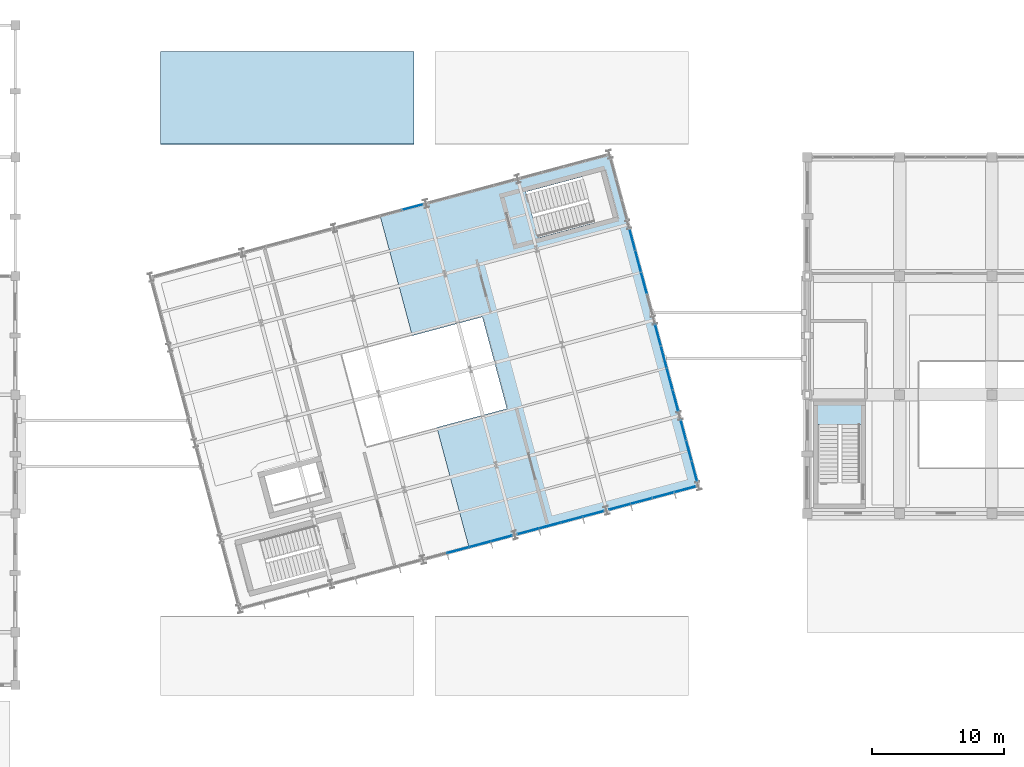
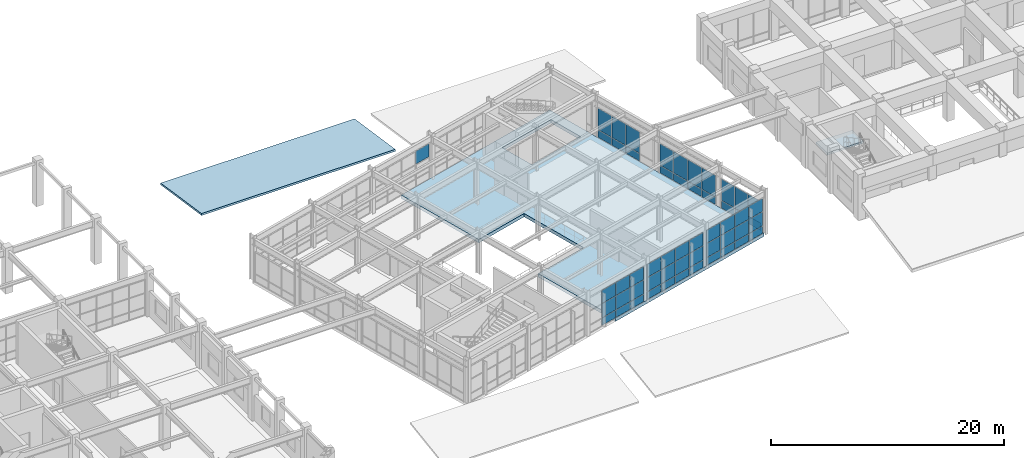
# One storey, part 75 of 104: 54 plates, 3 slabs, 8 elements without a shape of their own.
"""IFC4 building model written with IfcOpenShell, lengths in metres."""

import ifcopenshell
import ifcopenshell.guid

model = None  # the IFC model being written
_history = None  # IfcOwnerHistory: only IFC2X3 demands one
_inside = {}  # id of a spatial element -> (the spatial element, [elements in it])
_under = {}  # id of a project, library or spatial element -> (it, [spatial elements below it])
_declared = {}  # id of a project -> (the project, [libraries it declares])
_typed = {}  # id of a type object -> (the type object, [elements of that type])
_made_of = {}  # id of a material, layer set ... -> (it, [elements and type objects made of it])


def new_model(schema):
    """Start an empty IFC model of exactly this schema.

    Asked for "IFC4X3", IfcOpenShell would pick the latest addendum, in which some entities
    have other attributes; the version numbers below select the first issue.
    IFC2X3 requires an IfcOwnerHistory on every rooted entity: one is made here for all.
    """
    global model, _history
    if schema == "IFC4X3":
        model = ifcopenshell.file(schema_version=(4, 3, 0, 0))
    else:
        model = ifcopenshell.file(schema=schema)
    _inside.clear()
    _under.clear()
    _declared.clear()
    _typed.clear()
    _made_of.clear()
    _history = None
    if model.schema == "IFC2X3":
        org = make("IfcOrganization", Name="unknown")
        user = make(
            "IfcPersonAndOrganization",
            ThePerson=make("IfcPerson", FamilyName="unknown"),
            TheOrganization=org,
        )
        app = make(
            "IfcApplication",
            ApplicationDeveloper=org,
            Version="unknown",
            ApplicationFullName="unknown",
            ApplicationIdentifier="unknown",
        )
        _history = make(
            "IfcOwnerHistory",
            OwningUser=user,
            OwningApplication=app,
            ChangeAction="ADDED",
            CreationDate=0,
        )
    return model


def make(cls, **values):
    """One entity of the class cls with the attributes given. An attribute that is None is left unset."""
    return model.create_entity(
        cls, **{name: value for name, value in values.items() if value is not None}
    )


def rooted(cls, **values):
    """An entity with a GlobalId (a new one), such as an element, a storey or a relation."""
    return make(cls, GlobalId=ifcopenshell.guid.new(), OwnerHistory=_history, **values)


def si_unit(unit_type, name, prefix=None):
    """IfcSIUnit, for example si_unit("LENGTHUNIT", "METRE", prefix="MILLI")."""
    return make("IfcSIUnit", UnitType=unit_type, Prefix=prefix, Name=name)


def assignment(units):
    """IfcUnitAssignment: the units of a project."""
    return None if units is None else make("IfcUnitAssignment", Units=units)


def point(xyz):
    """IfcCartesianPoint."""
    return None if xyz is None else make("IfcCartesianPoint", Coordinates=xyz)


def direction(xyz):
    """IfcDirection."""
    return None if xyz is None else make("IfcDirection", DirectionRatios=xyz)


def frame(location, z_axis=None, x_axis=None):
    """IfcAxis2Placement3D, a coordinate frame: its origin and axes. An axis left out is left unset."""
    return make(
        "IfcAxis2Placement3D",
        Location=point(location),
        Axis=direction(z_axis),
        RefDirection=direction(x_axis),
    )


def frame_2d(location, x_axis=None):
    """IfcAxis2Placement2D, a coordinate frame in the plane: its origin and x axis."""
    return make(
        "IfcAxis2Placement2D", Location=point(location), RefDirection=direction(x_axis)
    )


def origin():
    """The frame at (0, 0, 0) with its axes left unset."""
    return frame((0.0, 0.0, 0.0))


def origin_2d():
    """The frame at (0, 0) in the plane with its x axis left unset."""
    return frame_2d((0.0, 0.0))


def place(relative_to, where):
    """IfcLocalPlacement: puts the frame where relative to a parent placement (None: the world)."""
    return make(
        "IfcLocalPlacement", PlacementRelTo=relative_to, RelativePlacement=where
    )


def context(
    kind, dimensions, precision=None, world=None, true_north=None, identifier=None
):
    """IfcGeometricRepresentationContext, for example the 3D "Model" context."""
    return make(
        "IfcGeometricRepresentationContext",
        ContextIdentifier=identifier,
        ContextType=kind,
        CoordinateSpaceDimension=dimensions,
        Precision=precision,
        WorldCoordinateSystem=world,
        TrueNorth=true_north,
    )


def subcontext(parent, identifier, kind, view, scale=None):
    """IfcGeometricRepresentationSubContext, for example "Body" below "Model"."""
    return make(
        "IfcGeometricRepresentationSubContext",
        ContextIdentifier=identifier,
        ContextType=kind,
        ParentContext=parent,
        TargetScale=scale,
        TargetView=view,
    )


def project(units=None, contexts=None):
    """IfcProject with its units and contexts."""
    return rooted(
        "IfcProject",
        Name="project",
        RepresentationContexts=contexts,
        UnitsInContext=assignment(units),
    )


def spatial(cls, under=None, at=None, **own):
    """A site, building, storey or space (cls), placed at a placement, below another one or the project."""
    s = rooted(cls, ObjectPlacement=at, **own)
    if under is not None:
        _under.setdefault(under.id(), (under, []))[1].append(s)
    return s


def polyline(points):
    """IfcPolyline through the points."""
    return make("IfcPolyline", Points=[point(p) for p in points])


def profile(cls, at=None, kind="AREA", **sizes):
    """A parametric profile (cls). Its sizes go by their IFC names, for example OverallWidth=200.0."""
    return make(cls, ProfileType=kind, Position=at, **sizes)


def rectangle(**sizes):
    """IfcRectangleProfileDef."""
    return profile("IfcRectangleProfileDef", **sizes)


def outline(outer, holes=None, kind="AREA"):
    """IfcArbitraryClosedProfileDef: a profile drawn as a closed curve; with holes, ...WithVoids."""
    if holes is None:
        return make("IfcArbitraryClosedProfileDef", ProfileType=kind, OuterCurve=outer)
    return make(
        "IfcArbitraryProfileDefWithVoids",
        ProfileType=kind,
        OuterCurve=outer,
        InnerCurves=holes,
    )


def extrude(swept, where, along, depth):
    """IfcExtrudedAreaSolid: the profile swept, set in the frame where, extruded along a direction by depth."""
    return make(
        "IfcExtrudedAreaSolid",
        SweptArea=swept,
        Position=where,
        ExtrudedDirection=direction(along),
        Depth=depth,
    )


def shape(context_of_items, identifier, shape_type, items):
    """IfcShapeRepresentation: the items that make up one representation, for example the "Body"."""
    return make(
        "IfcShapeRepresentation",
        ContextOfItems=context_of_items,
        RepresentationIdentifier=identifier,
        RepresentationType=shape_type,
        Items=items,
    )


def material(Name=None, Category=None):
    """IfcMaterial."""
    return make("IfcMaterial", Name=Name, Category=Category)


def layer(
    of_material, thickness, ventilated=None, Name=None, Category=None, Priority=None
):
    """IfcMaterialLayer: one layer of a wall or slab, of a material (None: an air gap)."""
    return make(
        "IfcMaterialLayer",
        Material=of_material,
        LayerThickness=thickness,
        IsVentilated=ventilated,
        Name=Name,
        Category=Category,
        Priority=Priority,
    )


def layer_set(layers, Name=None):
    """IfcMaterialLayerSet."""
    return make("IfcMaterialLayerSet", MaterialLayers=layers, LayerSetName=Name)


def made_of(thing, what):
    """Note that an element or type object is made of a material, layer set ...; save() writes the relation."""
    if what is not None:
        _made_of.setdefault(what.id(), (what, []))[1].append(thing)
    return thing


def type_object(cls, material=None, **own):
    """A type object (cls), such as IfcWallType, which elements share."""
    return made_of(rooted(cls, **own), material)


def element(
    cls,
    number,
    at=None,
    inside=None,
    cuts=None,
    type_object=None,
    material=None,
    context=None,
    identifier="Body",
    shape_type=None,
    held_by="IfcProductDefinitionShape",
    body=None,
    shapes=None,
    **own,
):
    """One element of the class cls, such as IfcWall. Its Tag is "e" and its number.

    at: its placement. inside: the storey or other place that contains it. cuts: it is an
    opening in that element (IfcRelVoidsElement). A single representation is given by context,
    identifier, shape_type and body (its items); several are given by shapes. held_by: the class
    of the entity that holds the representations. save() writes the other relations.
    """
    e = rooted(cls, Tag="e%d" % number, ObjectPlacement=at, **own)
    if body is not None:
        shapes = [shape(context, identifier, shape_type, body)]
    if shapes is not None:
        e.Representation = make(held_by, Representations=shapes)
    if inside is not None:
        _inside.setdefault(inside.id(), (inside, []))[1].append(e)
    if cuts is not None:
        rooted(
            "IfcRelVoidsElement", RelatingBuildingElement=cuts, RelatedOpeningElement=e
        )
    if type_object is not None:
        _typed.setdefault(type_object.id(), (type_object, []))[1].append(e)
    return made_of(e, material)


def aggregate(whole, parts):
    """IfcRelAggregates: a whole, such as a stair, and the parts it consists of."""
    return rooted("IfcRelAggregates", RelatingObject=whole, RelatedObjects=parts)


def save(model, path):
    """Write the relations noted so far, then the file.

    IfcRelAggregates (storeys below a building ...), IfcRelContainedInSpatialStructure (elements
    in a storey), IfcRelDefinesByType, IfcRelAssociatesMaterial and IfcRelDeclares: one each for
    every whole, place, type object, material and project.
    """
    for whole, parts in _under.values():
        aggregate(whole, parts)
    for where, things in _inside.values():
        rooted(
            "IfcRelContainedInSpatialStructure",
            RelatedElements=things,
            RelatingStructure=where,
        )
    for kind, things in _typed.values():
        rooted("IfcRelDefinesByType", RelatedObjects=things, RelatingType=kind)
    for what, things in _made_of.values():
        rooted("IfcRelAssociatesMaterial", RelatedObjects=things, RelatingMaterial=what)
    for by, libraries in _declared.values():
        rooted("IfcRelDeclares", RelatingContext=by, RelatedDefinitions=libraries)
    model.write(path)


model = new_model("IFC4")

# Units and contexts
model_context = context("Model", 3, precision=1e-05, world=origin(), true_north=direction((0.0, 1.0)))
body_context = subcontext(model_context, "Body", "Model", "MODEL_VIEW")
ifc_project = project(units=[si_unit("LENGTHUNIT", "METRE"), si_unit("AREAUNIT", "SQUARE_METRE"), si_unit("VOLUMEUNIT", "CUBIC_METRE"), si_unit("PLANEANGLEUNIT", "RADIAN"), si_unit("MASSUNIT", "GRAM", prefix="KILO")], contexts=[model_context])

# Site, building, storey
site_placement = place(None, origin())
site = spatial("IfcSite", under=ifc_project, at=site_placement, CompositionType="ELEMENT")
building_placement = place(site_placement, origin())
building = spatial("IfcBuilding", under=site, at=building_placement, Name="Ventoquebrada Cableway Terminal", CompositionType="ELEMENT")
storey_placement = place(building_placement, frame((0.0, 0.0, 4.800048828125)))
storey = spatial("IfcBuildingStorey", under=building, at=storey_placement, Name="L01", CompositionType="ELEMENT", Elevation=4.800048828125)

# Curtain wall, plates
ifc_material_1 = material(Name="Anodized thermally-broken aluminium", Category="aluminium")
ifc_layer_1 = layer(ifc_material_1, 0.159912109375)
ifc_layer_set_1 = layer_set([ifc_layer_1], Name="Anodized thermally-broken aluminium")
curtain_wall_type_1 = type_object("IfcCurtainWallType", Name="CW-T36", PredefinedType="USERDEFINED", material=ifc_layer_set_1)
curtain_wall_1_placement = place(storey_placement, origin())
curtain_wall_1 = element("IfcCurtainWall", 1, at=curtain_wall_1_placement, inside=storey, type_object=curtain_wall_type_1, Name="Unitised glazed curtain wall CW-085", ObjectType="UNITISED CURTAIN WALL", PredefinedType="USERDEFINED")
ifc_material_2 = material(Name="Double low-e laminated safety glazing", Category="glass")
ifc_layer_2 = layer(ifc_material_2, 0.031982421875)
ifc_layer_set_2 = layer_set([ifc_layer_2], Name="Double low-e laminated safety glazing")
plate_type_1 = type_object("IfcPlateType", Name="CWP-GL1", PredefinedType="CURTAIN_PANEL", material=ifc_layer_set_2)
plate_1_placement = place(storey_placement, frame((68.535888671875, 74.220947265625, 0.8740234375), z_axis=(0.0, 0.0, 1.0), x_axis=(0.96593486019, 0.258785327773, 0.0)))
plate_1 = element("IfcPlate", 2, at=plate_1_placement, type_object=plate_type_1, Name="Vision glazing panel PN-0899", PredefinedType="CURTAIN_PANEL", context=body_context, shape_type="SweptSolid", body=[
    extrude(rectangle(XDim=1.6669921875, YDim=0.031982421875, at=origin_2d()), origin(), (0.0, 0.0, 1.0), 1.446044921875),
])
plate_2_placement = place(storey_placement, frame((70.193115234375, 74.6650390625, 2.369384765625), z_axis=(0.0, 0.0, 1.0), x_axis=(0.96593486019, 0.258785327773, 0.0)))
plate_2 = element("IfcPlate", 3, at=plate_2_placement, type_object=plate_type_1, Name="Vision glazing panel PN-0903", PredefinedType="CURTAIN_PANEL", context=body_context, shape_type="SweptSolid", body=[
    extrude(rectangle(XDim=1.6669921875, YDim=0.031982421875, at=origin_2d()), origin(), (0.0, 0.0, 1.0), 1.35302734375),
])
plate_3_placement = place(storey_placement, frame((71.833984375, 75.10498046875, 0.8740234375), z_axis=(0.0, 0.0, 1.0), x_axis=(0.96593486019, 0.258785327773, 0.0)))
plate_3 = element("IfcPlate", 4, at=plate_3_placement, type_object=plate_type_1, Name="Vision glazing panel PN-0905", PredefinedType="CURTAIN_PANEL", context=body_context, shape_type="SweptSolid", body=[
    extrude(rectangle(XDim=1.632080078125, YDim=0.031982421875, at=origin_2d()), origin(), (0.0, 0.0, 1.0), 1.446044921875),
])

curtain_wall_2_placement = place(storey_placement, origin())
curtain_wall_2 = element("IfcCurtainWall", 5, at=curtain_wall_2_placement, inside=storey, type_object=curtain_wall_type_1, Name="Unitised glazed curtain wall CW-086", ObjectType="UNITISED CURTAIN WALL", PredefinedType="USERDEFINED")
plate_4_placement = place(storey_placement, frame((73.85009765625, 75.64501953125, 2.369384765625), z_axis=(0.0, 0.0, 1.0), x_axis=(0.965970984022, 0.258650455301, 0.0)))
plate_4 = element("IfcPlate", 6, at=plate_4_placement, type_object=plate_type_1, Name="Vision glazing panel PN-0909", PredefinedType="CURTAIN_PANEL", context=body_context, shape_type="SweptSolid", body=[
    extrude(rectangle(XDim=1.632080078125, YDim=0.031982421875, at=origin_2d()), origin(), (0.0, 0.0, 1.0), 1.35302734375),
])
plate_5_placement = place(storey_placement, frame((75.490966796875, 76.0849609375, 0.8740234375), z_axis=(0.0, 0.0, 1.0), x_axis=(0.965970984022, 0.258650455301, 0.0)))
plate_5 = element("IfcPlate", 7, at=plate_5_placement, type_object=plate_type_1, Name="Vision glazing panel PN-0911", PredefinedType="CURTAIN_PANEL", context=body_context, shape_type="SweptSolid", body=[
    extrude(rectangle(XDim=1.6669921875, YDim=0.031982421875, at=origin_2d()), origin(), (0.0, 0.0, 1.0), 1.446044921875),
])
plate_6_placement = place(storey_placement, frame((77.14794921875, 76.528076171875, 2.369384765625), z_axis=(0.0, 0.0, 1.0), x_axis=(0.965970984022, 0.258650455301, 0.0)))
plate_6 = element("IfcPlate", 8, at=plate_6_placement, type_object=plate_type_1, Name="Vision glazing panel PN-0915", PredefinedType="CURTAIN_PANEL", context=body_context, shape_type="SweptSolid", body=[
    extrude(rectangle(XDim=1.6669921875, YDim=0.031982421875, at=origin_2d()), origin(), (0.0, 0.0, 1.0), 1.35302734375),
])
plate_7_placement = place(storey_placement, frame((78.7880859375, 76.968017578125, 0.8740234375), z_axis=(0.0, 0.0, 1.0), x_axis=(0.965970984022, 0.258650455301, 0.0)))
plate_7 = element("IfcPlate", 9, at=plate_7_placement, type_object=plate_type_1, Name="Vision glazing panel PN-0917", PredefinedType="CURTAIN_PANEL", context=body_context, shape_type="SweptSolid", body=[
    extrude(rectangle(XDim=1.632080078125, YDim=0.031982421875, at=origin_2d()), origin(), (0.0, 0.0, 1.0), 1.446044921875),
])

ifc_layer_3 = layer(ifc_material_1, 0.159912109375)
ifc_layer_set_3 = layer_set([ifc_layer_3], Name="Anodized thermally-broken aluminium")
curtain_wall_type_2 = type_object("IfcCurtainWallType", Name="CW-T37", PredefinedType="USERDEFINED", material=ifc_layer_set_3)
curtain_wall_3_placement = place(storey_placement, origin())
curtain_wall_3 = element("IfcCurtainWall", 10, at=curtain_wall_3_placement, inside=storey, type_object=curtain_wall_type_2, Name="Unitised glazed curtain wall CW-087", ObjectType="UNITISED CURTAIN WALL", PredefinedType="USERDEFINED")
plate_8_placement = place(storey_placement, frame((80.804931640625, 77.508056640625, 2.369384765625), z_axis=(0.0, 0.0, 1.0), x_axis=(0.965925826289, 0.258819045103, 0.0)))
plate_8 = element("IfcPlate", 11, at=plate_8_placement, type_object=plate_type_1, Name="Vision glazing panel PN-0921", PredefinedType="CURTAIN_PANEL", context=body_context, shape_type="SweptSolid", body=[
    extrude(rectangle(XDim=1.631103515625, YDim=0.031982421875, at=origin_2d()), origin(), (0.0, 0.0, 1.0), 1.35302734375),
])
plate_9_placement = place(storey_placement, frame((82.446044921875, 77.947998046875, 0.8740234375), z_axis=(0.0, 0.0, 1.0), x_axis=(0.965925826289, 0.258819045103, 0.0)))
plate_9 = element("IfcPlate", 12, at=plate_9_placement, type_object=plate_type_1, Name="Vision glazing panel PN-0923", PredefinedType="CURTAIN_PANEL", context=body_context, shape_type="SweptSolid", body=[
    extrude(rectangle(XDim=1.666015625, YDim=0.031982421875, at=origin_2d()), origin(), (0.0, 0.0, 1.0), 1.446044921875),
])
plate_10_placement = place(storey_placement, frame((84.10205078125, 78.39208984375, 2.369384765625), z_axis=(0.0, 0.0, 1.0), x_axis=(0.965925826289, 0.258819045103, 0.0)))
plate_10 = element("IfcPlate", 13, at=plate_10_placement, type_object=plate_type_1, Name="Vision glazing panel PN-0927", PredefinedType="CURTAIN_PANEL", context=body_context, shape_type="SweptSolid", body=[
    extrude(rectangle(XDim=1.666015625, YDim=0.031982421875, at=origin_2d()), origin(), (0.0, 0.0, 1.0), 1.35302734375),
])
plate_11_placement = place(storey_placement, frame((85.742919921875, 78.83203125, 0.8740234375), z_axis=(0.0, 0.0, 1.0), x_axis=(0.965925826289, 0.258819045103, 0.0)))
plate_11 = element("IfcPlate", 14, at=plate_11_placement, type_object=plate_type_1, Name="Vision glazing panel PN-0929", PredefinedType="CURTAIN_PANEL", context=body_context, shape_type="SweptSolid", body=[
    extrude(rectangle(XDim=1.631103515625, YDim=0.031982421875, at=origin_2d()), origin(), (0.0, 0.0, 1.0), 1.446044921875),
])

# Curtain wall, plate
curtain_wall_4_placement = place(storey_placement, origin())
curtain_wall_4 = element("IfcCurtainWall", 15, at=curtain_wall_4_placement, inside=storey, type_object=curtain_wall_type_1, Name="Unitised glazed curtain wall CW-090", ObjectType="UNITISED CURTAIN WALL", PredefinedType="USERDEFINED")
plate_12_placement = place(storey_placement, frame((65.10498046875, 100.218994140625, 2.369384765625), z_axis=(0.0, 0.0, 1.0), x_axis=(-0.96593486019, -0.258785327773, 0.0)))
plate_12 = element("IfcPlate", 16, at=plate_12_placement, type_object=plate_type_1, Name="Vision glazing panel PN-0957", PredefinedType="CURTAIN_PANEL", context=body_context, shape_type="SweptSolid", body=[
    extrude(rectangle(XDim=1.632080078125, YDim=0.031982421875, at=origin_2d()), origin(), (0.0, 0.0, 1.0), 1.35302734375),
])
aggregate(curtain_wall_4, [plate_12])

ifc_layer_4 = layer(ifc_material_1, 0.159912109375)
ifc_layer_set_4 = layer_set([ifc_layer_4], Name="Anodized thermally-broken aluminium")
curtain_wall_type_3 = type_object("IfcCurtainWallType", Name="CW-T38", PredefinedType="USERDEFINED", material=ifc_layer_set_4)
curtain_wall_5_placement = place(storey_placement, origin())
curtain_wall_5 = element("IfcCurtainWall", 17, at=curtain_wall_5_placement, inside=storey, type_object=curtain_wall_type_3, Name="Unitised glazed curtain wall CW-097", ObjectType="UNITISED CURTAIN WALL", PredefinedType="USERDEFINED")
plate_13_placement = place(storey_placement, frame((86.0400390625, 81.758056640625, 0.8740234375), z_axis=(0.0, 0.0, 1.0), x_axis=(-0.258650455301, 0.965970984022, 0.0)))
plate_13 = element("IfcPlate", 18, at=plate_13_placement, type_object=plate_type_1, Name="Vision glazing panel PN-1022", PredefinedType="CURTAIN_PANEL", context=body_context, shape_type="SweptSolid", body=[
    extrude(rectangle(XDim=1.573974609375, YDim=0.031982421875, at=origin_2d()), origin(), (0.0, 0.0, 1.0), 2.22607421875),
])

# Curtain wall, plates
ifc_layer_5 = layer(ifc_material_1, 0.159912109375)
ifc_layer_set_5 = layer_set([ifc_layer_5], Name="Anodized thermally-broken aluminium")
curtain_wall_type_4 = type_object("IfcCurtainWallType", Name="CW-T39", PredefinedType="USERDEFINED", material=ifc_layer_set_5)
curtain_wall_6_placement = place(storey_placement, origin())
curtain_wall_6 = element("IfcCurtainWall", 19, at=curtain_wall_6_placement, inside=storey, type_object=curtain_wall_type_4, Name="Unitised glazed curtain wall CW-098", ObjectType="UNITISED CURTAIN WALL", PredefinedType="USERDEFINED")
plate_14_placement = place(storey_placement, frame((84.580078125, 87.20703125, 0.8740234375), z_axis=(0.0, 0.0, 1.0), x_axis=(-0.258701033069, 0.965957439792, 0.0)))
plate_14 = element("IfcPlate", 20, at=plate_14_placement, type_object=plate_type_1, Name="Vision glazing panel PN-1028", PredefinedType="CURTAIN_PANEL", context=body_context, shape_type="SweptSolid", body=[
    extrude(rectangle(XDim=1.66796875, YDim=0.031982421875, at=origin_2d()), origin(), (0.0, 0.0, 1.0), 2.22607421875),
])
plate_15_placement = place(storey_placement, frame((83.696044921875, 90.508056640625, 0.8740234375), z_axis=(0.0, 0.0, 1.0), x_axis=(-0.258701033069, 0.965957439792, 0.0)))
plate_15 = element("IfcPlate", 21, at=plate_15_placement, type_object=plate_type_1, Name="Vision glazing panel PN-1032", PredefinedType="CURTAIN_PANEL", context=body_context, shape_type="SweptSolid", body=[
    extrude(rectangle(XDim=1.633056640625, YDim=0.031982421875, at=origin_2d()), origin(), (0.0, 0.0, 1.0), 2.22607421875),
])

curtain_wall_7_placement = place(storey_placement, origin())
curtain_wall_7 = element("IfcCurtainWall", 22, at=curtain_wall_7_placement, inside=storey, type_object=curtain_wall_type_4, Name="Unitised glazed curtain wall CW-099", ObjectType="UNITISED CURTAIN WALL", PredefinedType="USERDEFINED")
plate_16_placement = place(storey_placement, frame((82.638916015625, 94.451904296875, 0.8740234375), z_axis=(0.0, 0.0, 1.0), x_axis=(-0.258734751187, 0.965948408834, 0.0)))
plate_16 = element("IfcPlate", 23, at=plate_16_placement, type_object=plate_type_1, Name="Vision glazing panel PN-1036", PredefinedType="CURTAIN_PANEL", context=body_context, shape_type="SweptSolid", body=[
    extrude(rectangle(XDim=1.66796875, YDim=0.031982421875, at=origin_2d()), origin(), (0.0, 0.0, 1.0), 2.22607421875),
])
plate_17_placement = place(storey_placement, frame((81.7548828125, 97.751953125, 0.8740234375), z_axis=(0.0, 0.0, 1.0), x_axis=(-0.258734751187, 0.965948408834, 0.0)))
plate_17 = element("IfcPlate", 24, at=plate_17_placement, type_object=plate_type_1, Name="Vision glazing panel PN-1040", PredefinedType="CURTAIN_PANEL", context=body_context, shape_type="SweptSolid", body=[
    extrude(rectangle(XDim=1.633056640625, YDim=0.031982421875, at=origin_2d()), origin(), (0.0, 0.0, 1.0), 2.22607421875),
])

# Plate
ifc_layer_6 = layer(ifc_material_2, 0.0380859375)
ifc_layer_set_6 = layer_set([ifc_layer_6], Name="Double low-e laminated safety glazing")
plate_type_2 = type_object("IfcPlateType", Name="CWP-GL2", PredefinedType="CURTAIN_PANEL", material=ifc_layer_set_6)
plate_18_placement = place(storey_placement, frame((68.535888671875, 74.220947265625, 2.369384765625), z_axis=(0.0, 0.0, 1.0), x_axis=(0.96593486019, 0.258785327773, 0.0)))
plate_18 = element("IfcPlate", 25, at=plate_18_placement, type_object=plate_type_2, Name="Vision glazing panel PN-0900", PredefinedType="CURTAIN_PANEL", context=body_context, shape_type="SweptSolid", body=[
    extrude(rectangle(XDim=1.6669921875, YDim=0.0380859375, at=origin_2d()), origin(), (0.0, 0.0, 1.0), 1.35302734375),
])

plate_19_placement = place(storey_placement, frame((70.193115234375, 74.6650390625, 0.8740234375), z_axis=(0.0, 0.0, 1.0), x_axis=(0.96593486019, 0.258785327773, 0.0)))
plate_19 = element("IfcPlate", 26, at=plate_19_placement, type_object=plate_type_2, Name="Vision glazing panel PN-0902", PredefinedType="CURTAIN_PANEL", context=body_context, shape_type="SweptSolid", body=[
    extrude(rectangle(XDim=1.6669921875, YDim=0.0380859375, at=origin_2d()), origin(), (0.0, 0.0, 1.0), 1.446044921875),
])

plate_20_placement = place(storey_placement, frame((71.833984375, 75.10498046875, 2.369384765625), z_axis=(0.0, 0.0, 1.0), x_axis=(0.96593486019, 0.258785327773, 0.0)))
plate_20 = element("IfcPlate", 27, at=plate_20_placement, type_object=plate_type_2, Name="Vision glazing panel PN-0906", PredefinedType="CURTAIN_PANEL", context=body_context, shape_type="SweptSolid", body=[
    extrude(rectangle(XDim=1.632080078125, YDim=0.0380859375, at=origin_2d()), origin(), (0.0, 0.0, 1.0), 1.35302734375),
])

plate_21_placement = place(storey_placement, frame((73.85009765625, 75.64501953125, 0.8740234375), z_axis=(0.0, 0.0, 1.0), x_axis=(0.965970984022, 0.258650455301, 0.0)))
plate_21 = element("IfcPlate", 28, at=plate_21_placement, type_object=plate_type_2, Name="Vision glazing panel PN-0908", PredefinedType="CURTAIN_PANEL", context=body_context, shape_type="SweptSolid", body=[
    extrude(rectangle(XDim=1.632080078125, YDim=0.0380859375, at=origin_2d()), origin(), (0.0, 0.0, 1.0), 1.446044921875),
])

plate_22_placement = place(storey_placement, frame((75.490966796875, 76.0849609375, 2.369384765625), z_axis=(0.0, 0.0, 1.0), x_axis=(0.965970984022, 0.258650455301, 0.0)))
plate_22 = element("IfcPlate", 29, at=plate_22_placement, type_object=plate_type_2, Name="Vision glazing panel PN-0912", PredefinedType="CURTAIN_PANEL", context=body_context, shape_type="SweptSolid", body=[
    extrude(rectangle(XDim=1.6669921875, YDim=0.0380859375, at=origin_2d()), origin(), (0.0, 0.0, 1.0), 1.35302734375),
])

plate_23_placement = place(storey_placement, frame((77.14794921875, 76.528076171875, 0.8740234375), z_axis=(0.0, 0.0, 1.0), x_axis=(0.965970984022, 0.258650455301, 0.0)))
plate_23 = element("IfcPlate", 30, at=plate_23_placement, type_object=plate_type_2, Name="Vision glazing panel PN-0914", PredefinedType="CURTAIN_PANEL", context=body_context, shape_type="SweptSolid", body=[
    extrude(rectangle(XDim=1.6669921875, YDim=0.0380859375, at=origin_2d()), origin(), (0.0, 0.0, 1.0), 1.446044921875),
])

plate_24_placement = place(storey_placement, frame((78.7880859375, 76.968017578125, 2.369384765625), z_axis=(0.0, 0.0, 1.0), x_axis=(0.965970984022, 0.258650455301, 0.0)))
plate_24 = element("IfcPlate", 31, at=plate_24_placement, type_object=plate_type_2, Name="Vision glazing panel PN-0918", PredefinedType="CURTAIN_PANEL", context=body_context, shape_type="SweptSolid", body=[
    extrude(rectangle(XDim=1.632080078125, YDim=0.0380859375, at=origin_2d()), origin(), (0.0, 0.0, 1.0), 1.35302734375),
])

plate_25_placement = place(storey_placement, frame((80.804931640625, 77.508056640625, 0.8740234375), z_axis=(0.0, 0.0, 1.0), x_axis=(0.965925826289, 0.258819045103, 0.0)))
plate_25 = element("IfcPlate", 32, at=plate_25_placement, type_object=plate_type_2, Name="Vision glazing panel PN-0920", PredefinedType="CURTAIN_PANEL", context=body_context, shape_type="SweptSolid", body=[
    extrude(rectangle(XDim=1.631103515625, YDim=0.0380859375, at=origin_2d()), origin(), (0.0, 0.0, 1.0), 1.446044921875),
])

plate_26_placement = place(storey_placement, frame((82.446044921875, 77.947998046875, 2.369384765625), z_axis=(0.0, 0.0, 1.0), x_axis=(0.965925826289, 0.258819045103, 0.0)))
plate_26 = element("IfcPlate", 33, at=plate_26_placement, type_object=plate_type_2, Name="Vision glazing panel PN-0924", PredefinedType="CURTAIN_PANEL", context=body_context, shape_type="SweptSolid", body=[
    extrude(rectangle(XDim=1.666015625, YDim=0.0380859375, at=origin_2d()), origin(), (0.0, 0.0, 1.0), 1.35302734375),
])

plate_27_placement = place(storey_placement, frame((84.10205078125, 78.39208984375, 0.8740234375), z_axis=(0.0, 0.0, 1.0), x_axis=(0.965925826289, 0.258819045103, 0.0)))
plate_27 = element("IfcPlate", 34, at=plate_27_placement, type_object=plate_type_2, Name="Vision glazing panel PN-0926", PredefinedType="CURTAIN_PANEL", context=body_context, shape_type="SweptSolid", body=[
    extrude(rectangle(XDim=1.666015625, YDim=0.0380859375, at=origin_2d()), origin(), (0.0, 0.0, 1.0), 1.446044921875),
])

plate_28_placement = place(storey_placement, frame((85.742919921875, 78.83203125, 2.369384765625), z_axis=(0.0, 0.0, 1.0), x_axis=(0.965925826289, 0.258819045103, 0.0)))
plate_28 = element("IfcPlate", 35, at=plate_28_placement, type_object=plate_type_2, Name="Vision glazing panel PN-0930", PredefinedType="CURTAIN_PANEL", context=body_context, shape_type="SweptSolid", body=[
    extrude(rectangle(XDim=1.631103515625, YDim=0.0380859375, at=origin_2d()), origin(), (0.0, 0.0, 1.0), 1.35302734375),
])

plate_29_placement = place(storey_placement, frame((86.4541015625, 80.20703125, 0.8740234375), z_axis=(0.0, 0.0, 1.0), x_axis=(-0.258650455301, 0.965970984022, 0.0)))
plate_29 = element("IfcPlate", 36, at=plate_29_placement, type_object=plate_type_2, Name="Vision glazing panel PN-1020", PredefinedType="CURTAIN_PANEL", context=body_context, shape_type="SweptSolid", body=[
    extrude(rectangle(XDim=1.5390625, YDim=0.0380859375, at=origin_2d()), origin(), (0.0, 0.0, 1.0), 2.22607421875),
])

plate_30_placement = place(storey_placement, frame((85.6240234375, 83.30908203125, 0.8740234375), z_axis=(0.0, 0.0, 1.0), x_axis=(-0.258650455301, 0.965970984022, 0.0)))
plate_30 = element("IfcPlate", 37, at=plate_30_placement, type_object=plate_type_2, Name="Vision glazing panel PN-1024", PredefinedType="CURTAIN_PANEL", context=body_context, shape_type="SweptSolid", body=[
    extrude(rectangle(XDim=1.5390625, YDim=0.0380859375, at=origin_2d()), origin(), (0.0, 0.0, 1.0), 2.22607421875),
])

plate_31_placement = place(storey_placement, frame((85.01904296875, 85.56494140625, 0.8740234375), z_axis=(0.0, 0.0, 1.0), x_axis=(-0.258701033069, 0.965957439792, 0.0)))
plate_31 = element("IfcPlate", 38, at=plate_31_placement, type_object=plate_type_2, Name="Vision glazing panel PN-1026", PredefinedType="CURTAIN_PANEL", context=body_context, shape_type="SweptSolid", body=[
    extrude(rectangle(XDim=1.633056640625, YDim=0.0380859375, at=origin_2d()), origin(), (0.0, 0.0, 1.0), 2.22607421875),
])

plate_32_placement = place(storey_placement, frame((84.135009765625, 88.865966796875, 0.8740234375), z_axis=(0.0, 0.0, 1.0), x_axis=(-0.258701033069, 0.965957439792, 0.0)))
plate_32 = element("IfcPlate", 39, at=plate_32_placement, type_object=plate_type_2, Name="Vision glazing panel PN-1030", PredefinedType="CURTAIN_PANEL", context=body_context, shape_type="SweptSolid", body=[
    extrude(rectangle(XDim=1.66796875, YDim=0.0380859375, at=origin_2d()), origin(), (0.0, 0.0, 1.0), 2.22607421875),
])

plate_33_placement = place(storey_placement, frame((82.194091796875, 96.111083984375, 0.8740234375), z_axis=(0.0, 0.0, 1.0), x_axis=(-0.258734751187, 0.965948408834, 0.0)))
plate_33 = element("IfcPlate", 40, at=plate_33_placement, type_object=plate_type_2, Name="Vision glazing panel PN-1038", PredefinedType="CURTAIN_PANEL", context=body_context, shape_type="SweptSolid", body=[
    extrude(rectangle(XDim=1.66796875, YDim=0.0380859375, at=origin_2d()), origin(), (0.0, 0.0, 1.0), 2.22607421875),
])

ifc_material_3 = material(Name="Insulated aluminium spandrel cassette", Category="aluminium")
ifc_layer_7 = layer(ifc_material_3, 0.044921875)
ifc_layer_set_7 = layer_set([ifc_layer_7], Name="Insulated aluminium spandrel cassette")
plate_type_3 = type_object("IfcPlateType", Name="CWP-SP1", PredefinedType="CURTAIN_PANEL", material=ifc_layer_set_7)
plate_34_placement = place(storey_placement, frame((68.535888671875, 74.220947265625, 0.058837890625), z_axis=(0.0, 0.0, 1.0), x_axis=(0.96593486019, 0.258785327773, 0.0)))
plate_34 = element("IfcPlate", 41, at=plate_34_placement, type_object=plate_type_3, Name="Insulated spandrel panel PN-0898", PredefinedType="CURTAIN_PANEL", context=body_context, shape_type="SweptSolid", body=[
    extrude(rectangle(XDim=1.6669921875, YDim=0.044921875, at=origin_2d()), origin(), (0.0, 0.0, 1.0), 0.76611328125),
])

plate_35_placement = place(storey_placement, frame((70.193115234375, 74.6650390625, 0.058837890625), z_axis=(0.0, 0.0, 1.0), x_axis=(0.96593486019, 0.258785327773, 0.0)))
plate_35 = element("IfcPlate", 42, at=plate_35_placement, type_object=plate_type_3, Name="Insulated spandrel panel PN-0901", PredefinedType="CURTAIN_PANEL", context=body_context, shape_type="SweptSolid", body=[
    extrude(rectangle(XDim=1.6669921875, YDim=0.044921875, at=origin_2d()), origin(), (0.0, 0.0, 1.0), 0.76611328125),
])

plate_36_placement = place(storey_placement, frame((71.833984375, 75.10498046875, 0.058837890625), z_axis=(0.0, 0.0, 1.0), x_axis=(0.96593486019, 0.258785327773, 0.0)))
plate_36 = element("IfcPlate", 43, at=plate_36_placement, type_object=plate_type_3, Name="Insulated spandrel panel PN-0904", PredefinedType="CURTAIN_PANEL", context=body_context, shape_type="SweptSolid", body=[
    extrude(rectangle(XDim=1.632080078125, YDim=0.044921875, at=origin_2d()), origin(), (0.0, 0.0, 1.0), 0.76611328125),
])

aggregate(curtain_wall_1, [plate_34, plate_1, plate_18, plate_35, plate_19, plate_2, plate_36, plate_3, plate_20])

plate_37_placement = place(storey_placement, frame((73.85009765625, 75.64501953125, 0.058837890625), z_axis=(0.0, 0.0, 1.0), x_axis=(0.965970984022, 0.258650455301, 0.0)))
plate_37 = element("IfcPlate", 44, at=plate_37_placement, type_object=plate_type_3, Name="Insulated spandrel panel PN-0907", PredefinedType="CURTAIN_PANEL", context=body_context, shape_type="SweptSolid", body=[
    extrude(rectangle(XDim=1.632080078125, YDim=0.044921875, at=origin_2d()), origin(), (0.0, 0.0, 1.0), 0.76611328125),
])

plate_38_placement = place(storey_placement, frame((75.490966796875, 76.0849609375, 0.058837890625), z_axis=(0.0, 0.0, 1.0), x_axis=(0.965970984022, 0.258650455301, 0.0)))
plate_38 = element("IfcPlate", 45, at=plate_38_placement, type_object=plate_type_3, Name="Insulated spandrel panel PN-0910", PredefinedType="CURTAIN_PANEL", context=body_context, shape_type="SweptSolid", body=[
    extrude(rectangle(XDim=1.6669921875, YDim=0.044921875, at=origin_2d()), origin(), (0.0, 0.0, 1.0), 0.76611328125),
])

plate_39_placement = place(storey_placement, frame((77.14794921875, 76.528076171875, 0.058837890625), z_axis=(0.0, 0.0, 1.0), x_axis=(0.965970984022, 0.258650455301, 0.0)))
plate_39 = element("IfcPlate", 46, at=plate_39_placement, type_object=plate_type_3, Name="Insulated spandrel panel PN-0913", PredefinedType="CURTAIN_PANEL", context=body_context, shape_type="SweptSolid", body=[
    extrude(rectangle(XDim=1.6669921875, YDim=0.044921875, at=origin_2d()), origin(), (0.0, 0.0, 1.0), 0.76611328125),
])

plate_40_placement = place(storey_placement, frame((78.7880859375, 76.968017578125, 0.058837890625), z_axis=(0.0, 0.0, 1.0), x_axis=(0.965970984022, 0.258650455301, 0.0)))
plate_40 = element("IfcPlate", 47, at=plate_40_placement, type_object=plate_type_3, Name="Insulated spandrel panel PN-0916", PredefinedType="CURTAIN_PANEL", context=body_context, shape_type="SweptSolid", body=[
    extrude(rectangle(XDim=1.632080078125, YDim=0.044921875, at=origin_2d()), origin(), (0.0, 0.0, 1.0), 0.76611328125),
])

aggregate(curtain_wall_2, [plate_37, plate_21, plate_4, plate_38, plate_5, plate_22, plate_39, plate_23, plate_6, plate_40, plate_7, plate_24])

plate_41_placement = place(storey_placement, frame((80.804931640625, 77.508056640625, 0.058837890625), z_axis=(0.0, 0.0, 1.0), x_axis=(0.965925826289, 0.258819045103, 0.0)))
plate_41 = element("IfcPlate", 48, at=plate_41_placement, type_object=plate_type_3, Name="Insulated spandrel panel PN-0919", PredefinedType="CURTAIN_PANEL", context=body_context, shape_type="SweptSolid", body=[
    extrude(rectangle(XDim=1.631103515625, YDim=0.044921875, at=origin_2d()), origin(), (0.0, 0.0, 1.0), 0.76611328125),
])

plate_42_placement = place(storey_placement, frame((82.446044921875, 77.947998046875, 0.058837890625), z_axis=(0.0, 0.0, 1.0), x_axis=(0.965925826289, 0.258819045103, 0.0)))
plate_42 = element("IfcPlate", 49, at=plate_42_placement, type_object=plate_type_3, Name="Insulated spandrel panel PN-0922", PredefinedType="CURTAIN_PANEL", context=body_context, shape_type="SweptSolid", body=[
    extrude(rectangle(XDim=1.666015625, YDim=0.044921875, at=origin_2d()), origin(), (0.0, 0.0, 1.0), 0.76611328125),
])

plate_43_placement = place(storey_placement, frame((84.10205078125, 78.39208984375, 0.058837890625), z_axis=(0.0, 0.0, 1.0), x_axis=(0.965925826289, 0.258819045103, 0.0)))
plate_43 = element("IfcPlate", 50, at=plate_43_placement, type_object=plate_type_3, Name="Insulated spandrel panel PN-0925", PredefinedType="CURTAIN_PANEL", context=body_context, shape_type="SweptSolid", body=[
    extrude(rectangle(XDim=1.666015625, YDim=0.044921875, at=origin_2d()), origin(), (0.0, 0.0, 1.0), 0.76611328125),
])

plate_44_placement = place(storey_placement, frame((85.742919921875, 78.83203125, 0.058837890625), z_axis=(0.0, 0.0, 1.0), x_axis=(0.965925826289, 0.258819045103, 0.0)))
plate_44 = element("IfcPlate", 51, at=plate_44_placement, type_object=plate_type_3, Name="Insulated spandrel panel PN-0928", PredefinedType="CURTAIN_PANEL", context=body_context, shape_type="SweptSolid", body=[
    extrude(rectangle(XDim=1.631103515625, YDim=0.044921875, at=origin_2d()), origin(), (0.0, 0.0, 1.0), 0.76611328125),
])

aggregate(curtain_wall_3, [plate_41, plate_25, plate_8, plate_42, plate_9, plate_26, plate_43, plate_27, plate_10, plate_44, plate_11, plate_28])

plate_45_placement = place(storey_placement, frame((86.4541015625, 80.20703125, 0.058837890625), z_axis=(0.0, 0.0, 1.0), x_axis=(-0.258650455301, 0.965970984022, 0.0)))
plate_45 = element("IfcPlate", 52, at=plate_45_placement, type_object=plate_type_3, Name="Insulated spandrel panel PN-1019", PredefinedType="CURTAIN_PANEL", context=body_context, shape_type="SweptSolid", body=[
    extrude(rectangle(XDim=1.5390625, YDim=0.044921875, at=origin_2d()), origin(), (0.0, 0.0, 1.0), 0.76611328125),
])

plate_46_placement = place(storey_placement, frame((86.0400390625, 81.758056640625, 0.058837890625), z_axis=(0.0, 0.0, 1.0), x_axis=(-0.258650455301, 0.965970984022, 0.0)))
plate_46 = element("IfcPlate", 53, at=plate_46_placement, type_object=plate_type_3, Name="Insulated spandrel panel PN-1021", PredefinedType="CURTAIN_PANEL", context=body_context, shape_type="SweptSolid", body=[
    extrude(rectangle(XDim=1.573974609375, YDim=0.044921875, at=origin_2d()), origin(), (0.0, 0.0, 1.0), 0.76611328125),
])

plate_47_placement = place(storey_placement, frame((85.6240234375, 83.30908203125, 0.058837890625), z_axis=(0.0, 0.0, 1.0), x_axis=(-0.258650455301, 0.965970984022, 0.0)))
plate_47 = element("IfcPlate", 54, at=plate_47_placement, type_object=plate_type_3, Name="Insulated spandrel panel PN-1023", PredefinedType="CURTAIN_PANEL", context=body_context, shape_type="SweptSolid", body=[
    extrude(rectangle(XDim=1.5390625, YDim=0.044921875, at=origin_2d()), origin(), (0.0, 0.0, 1.0), 0.76611328125),
])

aggregate(curtain_wall_5, [plate_45, plate_29, plate_46, plate_13, plate_47, plate_30])

plate_48_placement = place(storey_placement, frame((85.01904296875, 85.56494140625, 0.058837890625), z_axis=(0.0, 0.0, 1.0), x_axis=(-0.258701033069, 0.965957439792, 0.0)))
plate_48 = element("IfcPlate", 55, at=plate_48_placement, type_object=plate_type_3, Name="Insulated spandrel panel PN-1025", PredefinedType="CURTAIN_PANEL", context=body_context, shape_type="SweptSolid", body=[
    extrude(rectangle(XDim=1.633056640625, YDim=0.044921875, at=origin_2d()), origin(), (0.0, 0.0, 1.0), 0.76611328125),
])

plate_49_placement = place(storey_placement, frame((84.580078125, 87.20703125, 0.058837890625), z_axis=(0.0, 0.0, 1.0), x_axis=(-0.258701033069, 0.965957439792, 0.0)))
plate_49 = element("IfcPlate", 56, at=plate_49_placement, type_object=plate_type_3, Name="Insulated spandrel panel PN-1027", PredefinedType="CURTAIN_PANEL", context=body_context, shape_type="SweptSolid", body=[
    extrude(rectangle(XDim=1.66796875, YDim=0.044921875, at=origin_2d()), origin(), (0.0, 0.0, 1.0), 0.76611328125),
])

plate_50_placement = place(storey_placement, frame((84.135009765625, 88.865966796875, 0.058837890625), z_axis=(0.0, 0.0, 1.0), x_axis=(-0.258701033069, 0.965957439792, 0.0)))
plate_50 = element("IfcPlate", 57, at=plate_50_placement, type_object=plate_type_3, Name="Insulated spandrel panel PN-1029", PredefinedType="CURTAIN_PANEL", context=body_context, shape_type="SweptSolid", body=[
    extrude(rectangle(XDim=1.66796875, YDim=0.044921875, at=origin_2d()), origin(), (0.0, 0.0, 1.0), 0.76611328125),
])

plate_51_placement = place(storey_placement, frame((83.696044921875, 90.508056640625, 0.058837890625), z_axis=(0.0, 0.0, 1.0), x_axis=(-0.258701033069, 0.965957439792, 0.0)))
plate_51 = element("IfcPlate", 58, at=plate_51_placement, type_object=plate_type_3, Name="Insulated spandrel panel PN-1031", PredefinedType="CURTAIN_PANEL", context=body_context, shape_type="SweptSolid", body=[
    extrude(rectangle(XDim=1.633056640625, YDim=0.044921875, at=origin_2d()), origin(), (0.0, 0.0, 1.0), 0.76611328125),
])

aggregate(curtain_wall_6, [plate_48, plate_31, plate_49, plate_14, plate_50, plate_32, plate_51, plate_15])

plate_52_placement = place(storey_placement, frame((82.638916015625, 94.451904296875, 0.058837890625), z_axis=(0.0, 0.0, 1.0), x_axis=(-0.258734751187, 0.965948408834, 0.0)))
plate_52 = element("IfcPlate", 59, at=plate_52_placement, type_object=plate_type_3, Name="Insulated spandrel panel PN-1035", PredefinedType="CURTAIN_PANEL", context=body_context, shape_type="SweptSolid", body=[
    extrude(rectangle(XDim=1.66796875, YDim=0.044921875, at=origin_2d()), origin(), (0.0, 0.0, 1.0), 0.76611328125),
])

plate_53_placement = place(storey_placement, frame((82.194091796875, 96.111083984375, 0.058837890625), z_axis=(0.0, 0.0, 1.0), x_axis=(-0.258734751187, 0.965948408834, 0.0)))
plate_53 = element("IfcPlate", 60, at=plate_53_placement, type_object=plate_type_3, Name="Insulated spandrel panel PN-1037", PredefinedType="CURTAIN_PANEL", context=body_context, shape_type="SweptSolid", body=[
    extrude(rectangle(XDim=1.66796875, YDim=0.044921875, at=origin_2d()), origin(), (0.0, 0.0, 1.0), 0.76611328125),
])

plate_54_placement = place(storey_placement, frame((81.7548828125, 97.751953125, 0.058837890625), z_axis=(0.0, 0.0, 1.0), x_axis=(-0.258734751187, 0.965948408834, 0.0)))
plate_54 = element("IfcPlate", 61, at=plate_54_placement, type_object=plate_type_3, Name="Insulated spandrel panel PN-1039", PredefinedType="CURTAIN_PANEL", context=body_context, shape_type="SweptSolid", body=[
    extrude(rectangle(XDim=1.633056640625, YDim=0.044921875, at=origin_2d()), origin(), (0.0, 0.0, 1.0), 0.76611328125),
])

aggregate(curtain_wall_7, [plate_52, plate_16, plate_53, plate_33, plate_54, plate_17])

# Slab
ifc_material_4 = material(Name="Concrete C40/50", Category="concrete")
ifc_layer_8 = layer(ifc_material_4, 0.35009765625)
ifc_layer_set_8 = layer_set([ifc_layer_8], Name="Concrete C40/50")
slab_type_1 = type_object("IfcSlabType", Name="SL-FL2", PredefinedType="FLOOR", material=ifc_layer_set_8)
slab_1_placement = place(storey_placement, frame((0.0, 0.0, -0.35009765625)))
element("IfcSlab", 62, at=slab_1_placement, inside=storey, type_object=slab_type_1, Name="Splayed boarding deck slab SL-072", PredefinedType="FLOOR", context=body_context, shape_type="SweptSolid", body=[
    extrude(outline(polyline([(62.635009765625, 99.556884765625), (65.068115234375, 90.47705078125), (70.381103515625, 91.90087890625), (72.243896484375, 84.946044921875), (66.931884765625, 83.52294921875), (69.364990234375, 74.443115234375), (86.7509765625, 79.10205078125), (80.02197265625, 104.216064453125), (62.635009765625, 99.556884765625)]), holes=[polyline([(80.321044921875, 99.429931640625), (74.612060546875, 97.89990234375), (73.679931640625, 101.3779296875), (79.388916015625, 102.906982421875), (80.321044921875, 99.429931640625)])]), origin(), (0.0, 0.0, 1.0), 0.35009765625),
])

# Stair, slab
stair_type = type_object("IfcStairType", Name="ST-T10", PredefinedType="HALF_TURN_STAIR", material=ifc_material_4)
stair_placement = place(storey_placement, origin())
stair = element("IfcStair", 63, at=stair_placement, inside=storey, type_object=stair_type, Name="Protected half-turn stair ST-35", PredefinedType="HALF_TURN_STAIR")
ifc_layer_9 = layer(ifc_material_4, 0.219970703125)
ifc_layer_set_9 = layer_set([ifc_layer_9], Name="Concrete C40/50")
slab_type_2 = type_object("IfcSlabType", Name="SL-LD1", PredefinedType="LANDING", material=ifc_layer_set_9)
slab_2_placement = place(storey_placement, frame((0.0, 0.0, 2.179931640625)))
slab_2 = element("IfcSlab", 64, at=slab_2_placement, type_object=slab_type_2, Name="Intermediate stair landing LDG-035", PredefinedType="LANDING", context=body_context, shape_type="SweptSolid", body=[
    extrude(outline(polyline([(99.260009765625, 83.739990234375), (99.260009765625, 85.659912109375), (95.679931640625, 85.659912109375), (95.679931640625, 83.739990234375), (99.260009765625, 83.739990234375)])), origin(), (0.0, 0.0, 1.0), 0.219970703125),
])
aggregate(stair, [slab_2])

# Slab
ifc_material_5 = material(Name="Concrete C45/55", Category="concrete")
ifc_layer_10 = layer(ifc_material_5, 0.260009765625)
ifc_layer_set_10 = layer_set([ifc_layer_10], Name="Concrete C45/55")
slab_type_3 = type_object("IfcSlabType", Name="SL-RF3", PredefinedType="ROOF", material=ifc_layer_set_10)
slab_3_placement = place(storey_placement, frame((46.0, 104.971923828125, 0.398193359375), z_axis=(0.0, 0.147773675894, 0.989021203369), x_axis=(1.0, 0.0, 0.0)))
element("IfcSlab", 65, at=slab_3_placement, inside=storey, type_object=slab_type_3, Name="Civic plaza shelter canopy roof slab SL-123", PredefinedType="ROOF", context=body_context, shape_type="SweptSolid", body=[
    extrude(outline(polyline([(0.0, 0.0), (19.199951171875, 0.0), (19.199951171875, 7.077704680301726), (0.0, 7.077704680301726), (0.0, 0.0)])), origin(), (0.0, 0.0, 1.0), 0.18994140625),
])

save(model, "model.ifc")
